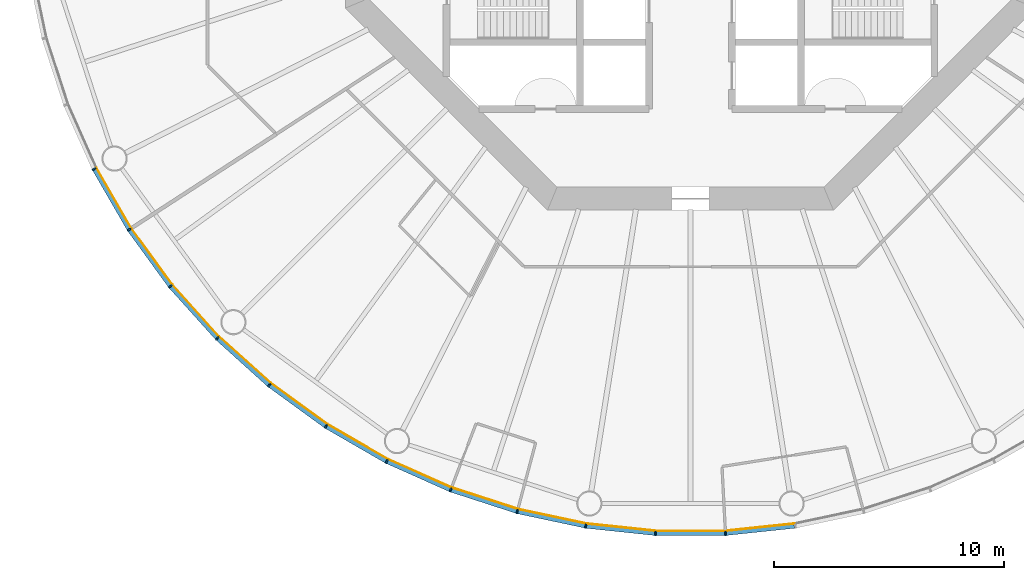
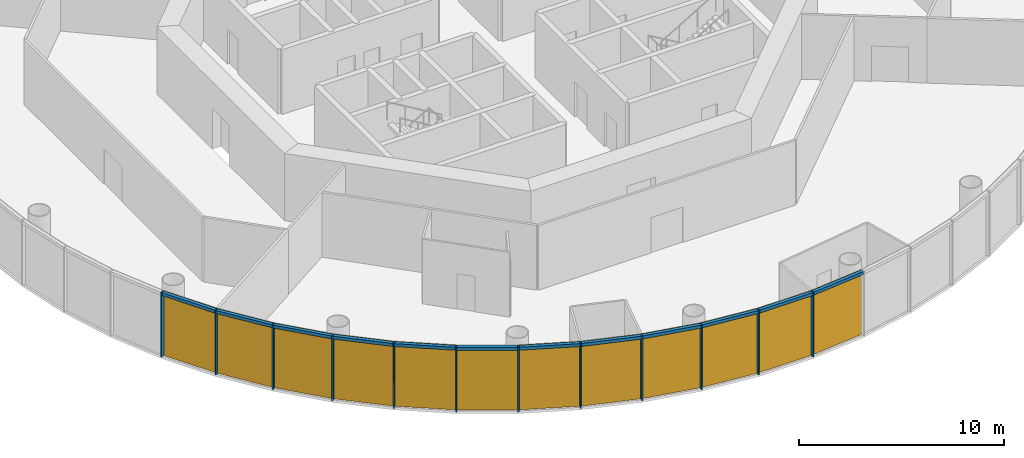
# One storey, part 7 of 13: 24 members, 4 curtain walls.
"""IFC4 building model written with IfcOpenShell, lengths in metres."""

from ifc_helpers import new_model, si_unit, direction, frame, origin, origin_2d, place, context, subcontext, project, spatial, polyline, rectangle, outline, extrude, material, layer, layer_set, material_profile, profile_set, type_object, element, aggregate, save


model = new_model("IFC4")

# Units and contexts
model_context = context("Model", 3, precision=1e-05, world=origin(), true_north=direction((0.0, 1.0)))
body_context = subcontext(model_context, "Body", "Model", "MODEL_VIEW")
ifc_project = project(units=[si_unit("LENGTHUNIT", "METRE"), si_unit("AREAUNIT", "SQUARE_METRE"), si_unit("VOLUMEUNIT", "CUBIC_METRE"), si_unit("PLANEANGLEUNIT", "RADIAN"), si_unit("MASSUNIT", "GRAM", prefix="KILO")], contexts=[model_context])

# Member
ifc_material_1 = material(Name="Anodised aluminium", Category="aluminium")
ifc_material_profile_1 = material_profile(ifc_material_1, rectangle(XDim=0.06494140625, YDim=0.18505859375, at=origin_2d()), Name="Mullion 65 x 185 mm anodised aluminium")
ifc_profile_set_1 = profile_set([ifc_material_profile_1], Name="Anodised aluminium")
member_type_1 = type_object("IfcMemberType", Name="Mullion 65 x 185 mm anodised aluminium", PredefinedType="MULLION", material=ifc_profile_set_1)
site_placement = place(None, origin())
building_placement = place(site_placement, origin())
storey_placement = place(building_placement, frame((0.0, 0.0, 156.0)))
member_1_placement = place(storey_placement, frame((64.078369140625, 66.792236328125, 0.0), z_axis=(0.0, 0.0, 1.0), x_axis=(0.45399049974, -0.891006524188, 0.0)))
member_1 = element("IfcMember", 1, at=member_1_placement, type_object=member_type_1, Name="MULLION L35-33", PredefinedType="MULLION", context=body_context, shape_type="SweptSolid", body=[
    extrude(rectangle(XDim=0.06494140625, YDim=0.18505859375, at=origin_2d()), origin(), (0.0, 0.0, 1.0), 3.85009765625),
])

member_2_placement = place(storey_placement, frame((65.60107421875, 64.155029296875, 0.0), z_axis=(0.0, 0.0, 1.0), x_axis=(0.544639035015, -0.838670567945, 0.0)))
member_2 = element("IfcMember", 2, at=member_2_placement, type_object=member_type_1, Name="MULLION L35-34", PredefinedType="MULLION", context=body_context, shape_type="SweptSolid", body=[
    extrude(rectangle(XDim=0.06494140625, YDim=0.18505859375, at=origin_2d()), origin(), (0.0, 0.0, 1.0), 3.85009765625),
])

member_3_placement = place(storey_placement, frame((67.390869140625, 61.69140625, 0.0), z_axis=(0.0, 0.0, 1.0), x_axis=(0.62932039105, -0.777145961457, 0.0)))
member_3 = element("IfcMember", 3, at=member_3_placement, type_object=member_type_1, Name="MULLION L35-35", PredefinedType="MULLION", context=body_context, shape_type="SweptSolid", body=[
    extrude(rectangle(XDim=0.06494140625, YDim=0.18505859375, at=origin_2d()), origin(), (0.0, 0.0, 1.0), 3.85009765625),
])

member_4_placement = place(storey_placement, frame((69.428466796875, 59.428466796875, 0.0), z_axis=(0.0, 0.0, 1.0), x_axis=(0.707106781187, -0.707106781187, 0.0)))
member_4 = element("IfcMember", 4, at=member_4_placement, type_object=member_type_1, Name="MULLION L35-36", PredefinedType="MULLION", context=body_context, shape_type="SweptSolid", body=[
    extrude(rectangle(XDim=0.06494140625, YDim=0.18505859375, at=origin_2d()), origin(), (0.0, 0.0, 1.0), 3.85009765625),
])

member_5_placement = place(storey_placement, frame((71.69140625, 57.390869140625, 0.0), z_axis=(0.0, 0.0, 1.0), x_axis=(0.777145961457, -0.62932039105, 0.0)))
member_5 = element("IfcMember", 5, at=member_5_placement, type_object=member_type_1, Name="MULLION L35-37", PredefinedType="MULLION", context=body_context, shape_type="SweptSolid", body=[
    extrude(rectangle(XDim=0.06494140625, YDim=0.18505859375, at=origin_2d()), origin(), (0.0, 0.0, 1.0), 3.85009765625),
])

member_6_placement = place(storey_placement, frame((74.155029296875, 55.60107421875, 0.0), z_axis=(0.0, 0.0, 1.0), x_axis=(0.838670567945, -0.544639035015, 0.0)))
member_6 = element("IfcMember", 6, at=member_6_placement, type_object=member_type_1, Name="MULLION L35-38", PredefinedType="MULLION", context=body_context, shape_type="SweptSolid", body=[
    extrude(rectangle(XDim=0.06494140625, YDim=0.18505859375, at=origin_2d()), origin(), (0.0, 0.0, 1.0), 3.85009765625),
])

member_7_placement = place(storey_placement, frame((76.792236328125, 54.078369140625, 0.0), z_axis=(0.0, 0.0, 1.0), x_axis=(0.891006524188, -0.45399049974, 0.0)))
member_7 = element("IfcMember", 7, at=member_7_placement, type_object=member_type_1, Name="MULLION L35-39", PredefinedType="MULLION", context=body_context, shape_type="SweptSolid", body=[
    extrude(rectangle(XDim=0.06494140625, YDim=0.18505859375, at=origin_2d()), origin(), (0.0, 0.0, 1.0), 3.85009765625),
])

member_8_placement = place(storey_placement, frame((79.57421875, 52.83984375, 0.0), z_axis=(0.0, 0.0, 1.0), x_axis=(0.933580426497, -0.358367949545, 0.0)))
member_8 = element("IfcMember", 8, at=member_8_placement, type_object=member_type_1, Name="MULLION L35-40", PredefinedType="MULLION", context=body_context, shape_type="SweptSolid", body=[
    extrude(rectangle(XDim=0.06494140625, YDim=0.18505859375, at=origin_2d()), origin(), (0.0, 0.0, 1.0), 3.85009765625),
])

member_9_placement = place(storey_placement, frame((82.47021484375, 51.898681640625, 0.0), z_axis=(0.0, 0.0, 1.0), x_axis=(0.965925826289, -0.258819045103, 0.0)))
member_9 = element("IfcMember", 9, at=member_9_placement, type_object=member_type_1, Name="MULLION L35-41", PredefinedType="MULLION", context=body_context, shape_type="SweptSolid", body=[
    extrude(rectangle(XDim=0.06494140625, YDim=0.18505859375, at=origin_2d()), origin(), (0.0, 0.0, 1.0), 3.85009765625),
])

member_10_placement = place(storey_placement, frame((85.448974609375, 51.265625, 0.0), z_axis=(0.0, 0.0, 1.0), x_axis=(0.987688340595, -0.15643446504, 0.0)))
member_10 = element("IfcMember", 10, at=member_10_placement, type_object=member_type_1, Name="MULLION L35-42", PredefinedType="MULLION", context=body_context, shape_type="SweptSolid", body=[
    extrude(rectangle(XDim=0.06494140625, YDim=0.18505859375, at=origin_2d()), origin(), (0.0, 0.0, 1.0), 3.85009765625),
])

member_11_placement = place(storey_placement, frame((88.477294921875, 50.947265625, 0.0), z_axis=(0.0, 0.0, 1.0), x_axis=(0.998629534755, -0.052335956243, 0.0)))
member_11 = element("IfcMember", 11, at=member_11_placement, type_object=member_type_1, Name="MULLION L35-43", PredefinedType="MULLION", context=body_context, shape_type="SweptSolid", body=[
    extrude(rectangle(XDim=0.06494140625, YDim=0.18505859375, at=origin_2d()), origin(), (0.0, 0.0, 1.0), 3.85009765625),
])

member_12_placement = place(storey_placement, frame((91.522705078125, 50.947265625, 0.0), z_axis=(0.0, 0.0, 1.0), x_axis=(0.998629534755, 0.052335956243, 0.0)))
member_12 = element("IfcMember", 12, at=member_12_placement, type_object=member_type_1, Name="MULLION L35-44", PredefinedType="MULLION", context=body_context, shape_type="SweptSolid", body=[
    extrude(rectangle(XDim=0.06494140625, YDim=0.18505859375, at=origin_2d()), origin(), (0.0, 0.0, 1.0), 3.85009765625),
])

ifc_material_2 = material(Name="Anodised aluminium", Category="aluminium")
ifc_material_profile_2 = material_profile(ifc_material_2, rectangle(XDim=0.18505859375, YDim=0.175048828125, at=origin_2d()), Name="Transom 175 x 185 mm anodised aluminium")
ifc_profile_set_2 = profile_set([ifc_material_profile_2], Name="Anodised aluminium")
member_type_2 = type_object("IfcMemberType", Name="Transom 175 x 185 mm anodised aluminium", PredefinedType="USERDEFINED", material=ifc_profile_set_2)
member_13_placement = place(storey_placement, frame((64.096923828125, 66.759765625, 3.762451171875), z_axis=(0.500028367561, -0.866009025146, 0.0), x_axis=(0.866009025146, 0.500028367561, 0.0)))
member_13 = element("IfcMember", 13, at=member_13_placement, type_object=member_type_2, Name="TRANSOM L35-33", ObjectType="TRANSOM", PredefinedType="USERDEFINED", context=body_context, shape_type="SweptSolid", body=[
    extrude(rectangle(XDim=0.18505859375, YDim=0.175048828125, at=origin_2d()), origin(), (0.0, 0.0, 1.0), 2.970458984375),
])

member_14_placement = place(storey_placement, frame((65.622802734375, 64.124755859375, 3.762451171875), z_axis=(0.587819781808, -0.808991906087, 0.0), x_axis=(0.808991906087, 0.587819781808, 0.0)))
member_14 = element("IfcMember", 14, at=member_14_placement, type_object=member_type_2, Name="TRANSOM L35-34", ObjectType="TRANSOM", PredefinedType="USERDEFINED", context=body_context, shape_type="SweptSolid", body=[
    extrude(rectangle(XDim=0.18505859375, YDim=0.175048828125, at=origin_2d()), origin(), (0.0, 0.0, 1.0), 2.970458984375),
])

member_15_placement = place(storey_placement, frame((67.415771484375, 61.66357421875, 3.762451171875), z_axis=(0.669110027395, -0.743163354343, 0.0), x_axis=(0.743163354343, 0.669110027395, 0.0)))
member_15 = element("IfcMember", 15, at=member_15_placement, type_object=member_type_2, Name="TRANSOM L35-35", ObjectType="TRANSOM", PredefinedType="USERDEFINED", context=body_context, shape_type="SweptSolid", body=[
    extrude(rectangle(XDim=0.18505859375, YDim=0.175048828125, at=origin_2d()), origin(), (0.0, 0.0, 1.0), 2.970458984375),
])

member_16_placement = place(storey_placement, frame((69.4560546875, 59.4033203125, 3.762451171875), z_axis=(0.743163354343, -0.669110027395, 0.0), x_axis=(0.669110027395, 0.743163354343, 0.0)))
member_16 = element("IfcMember", 16, at=member_16_placement, type_object=member_type_2, Name="TRANSOM L35-36", ObjectType="TRANSOM", PredefinedType="USERDEFINED", context=body_context, shape_type="SweptSolid", body=[
    extrude(rectangle(XDim=0.18505859375, YDim=0.175048828125, at=origin_2d()), origin(), (0.0, 0.0, 1.0), 2.970458984375),
])

member_17_placement = place(storey_placement, frame((71.7216796875, 57.368896484375, 3.762451171875), z_axis=(0.808991906087, -0.587819781808, 0.0), x_axis=(0.587819781808, 0.808991906087, 0.0)))
member_17 = element("IfcMember", 17, at=member_17_placement, type_object=member_type_2, Name="TRANSOM L35-37", ObjectType="TRANSOM", PredefinedType="USERDEFINED", context=body_context, shape_type="SweptSolid", body=[
    extrude(rectangle(XDim=0.18505859375, YDim=0.175048828125, at=origin_2d()), origin(), (0.0, 0.0, 1.0), 2.970458984375),
])

member_18_placement = place(storey_placement, frame((74.187255859375, 55.582275390625, 3.762451171875), z_axis=(0.866009025146, -0.500028367561, 0.0), x_axis=(0.500028367561, 0.866009025146, 0.0)))
member_18 = element("IfcMember", 18, at=member_18_placement, type_object=member_type_2, Name="TRANSOM L35-38", ObjectType="TRANSOM", PredefinedType="USERDEFINED", context=body_context, shape_type="SweptSolid", body=[
    extrude(rectangle(XDim=0.18505859375, YDim=0.175048828125, at=origin_2d()), origin(), (0.0, 0.0, 1.0), 2.970458984375),
])

member_19_placement = place(storey_placement, frame((76.826416015625, 54.06298828125, 3.762451171875), z_axis=(0.913567348806, -0.406687471156, 0.0), x_axis=(0.406687471156, 0.913567348806, 0.0)))
member_19 = element("IfcMember", 19, at=member_19_placement, type_object=member_type_2, Name="TRANSOM L35-39", ObjectType="TRANSOM", PredefinedType="USERDEFINED", context=body_context, shape_type="SweptSolid", body=[
    extrude(rectangle(XDim=0.18505859375, YDim=0.175048828125, at=origin_2d()), origin(), (0.0, 0.0, 1.0), 2.970458984375),
])

member_20_placement = place(storey_placement, frame((79.609619140625, 52.828125, 3.762451171875), z_axis=(0.951055809184, -0.30901917063, 0.0), x_axis=(0.30901917063, 0.951055809184, 0.0)))
member_20 = element("IfcMember", 20, at=member_20_placement, type_object=member_type_2, Name="TRANSOM L35-40", ObjectType="TRANSOM", PredefinedType="USERDEFINED", context=body_context, shape_type="SweptSolid", body=[
    extrude(rectangle(XDim=0.18505859375, YDim=0.175048828125, at=origin_2d()), origin(), (0.0, 0.0, 1.0), 2.970703125),
])

member_21_placement = place(storey_placement, frame((82.5068359375, 51.890869140625, 3.762451171875), z_axis=(0.97815822425, -0.207861704825, 0.0), x_axis=(0.207861704825, 0.97815822425, 0.0)))
member_21 = element("IfcMember", 21, at=member_21_placement, type_object=member_type_2, Name="TRANSOM L35-41", ObjectType="TRANSOM", PredefinedType="USERDEFINED", context=body_context, shape_type="SweptSolid", body=[
    extrude(rectangle(XDim=0.18505859375, YDim=0.175048828125, at=origin_2d()), origin(), (0.0, 0.0, 1.0), 2.970458984375),
])

member_22_placement = place(storey_placement, frame((85.486083984375, 51.26171875, 3.762451171875), z_axis=(0.994519855197, -0.104547872381, 0.0), x_axis=(0.104547872381, 0.994519855197, 0.0)))
member_22 = element("IfcMember", 22, at=member_22_placement, type_object=member_type_2, Name="TRANSOM L35-42", ObjectType="TRANSOM", PredefinedType="USERDEFINED", context=body_context, shape_type="SweptSolid", body=[
    extrude(rectangle(XDim=0.18505859375, YDim=0.175048828125, at=origin_2d()), origin(), (0.0, 0.0, 1.0), 2.970458984375),
])

member_23_placement = place(storey_placement, frame((88.5146484375, 50.947265625, 3.762451171875), z_axis=(1.0, 0.0, 0.0), x_axis=(0.0, 1.0, 0.0)))
member_23 = element("IfcMember", 23, at=member_23_placement, type_object=member_type_2, Name="TRANSOM L35-43", ObjectType="TRANSOM", PredefinedType="USERDEFINED", context=body_context, shape_type="SweptSolid", body=[
    extrude(rectangle(XDim=0.18505859375, YDim=0.175048828125, at=origin_2d()), origin(), (0.0, 0.0, 1.0), 2.970703125),
])

member_24_placement = place(storey_placement, frame((91.559814453125, 50.951171875, 3.762451171875), z_axis=(0.994519855197, 0.104547872381, 0.0), x_axis=(-0.104547872381, 0.994519855197, 0.0)))
member_24 = element("IfcMember", 24, at=member_24_placement, type_object=member_type_2, Name="TRANSOM L35-44", ObjectType="TRANSOM", PredefinedType="USERDEFINED", context=body_context, shape_type="SweptSolid", body=[
    extrude(rectangle(XDim=0.18505859375, YDim=0.175048828125, at=origin_2d()), origin(), (0.0, 0.0, 1.0), 2.970458984375),
])

# Site, building, storey
site = spatial("IfcSite", under=ifc_project, at=site_placement, CompositionType="ELEMENT")
building = spatial("IfcBuilding", under=site, at=building_placement, Name="Entoto Ring Tower", CompositionType="ELEMENT")
storey = spatial("IfcBuildingStorey", under=building, at=storey_placement, Name="L35", CompositionType="ELEMENT", Elevation=156.0)

# Curtain wall
ifc_material_3 = material(Name="Clear low-iron glass", Category="glass")
ifc_layer = layer(ifc_material_3, 0.033935546875)
ifc_layer_set = layer_set([ifc_layer], Name="Clear low-iron glass")
curtain_wall_type = type_object("IfcCurtainWallType", Name="Curtain wall system CW3 glazing 34 mm", PredefinedType="NOTDEFINED", material=ifc_layer_set)
curtain_wall_1_placement = place(storey_placement, origin())
curtain_wall_1 = element("IfcCurtainWall", 25, at=curtain_wall_1_placement, inside=storey, type_object=curtain_wall_type, Name="CW3 L35-12", PredefinedType="NOTDEFINED", context=body_context, shape_type="SweptSolid", body=[
    extrude(outline(polyline([(64.160888671875, 66.834228515625), (65.678466796875, 64.20556640625), (67.462646484375, 61.749755859375), (69.493896484375, 59.493896484375), (69.51806640625, 59.51806640625), (67.4892578125, 61.771240234375), (65.70703125, 64.22412109375), (64.191162109375, 66.849853515625), (64.160888671875, 66.834228515625)])), origin(), (0.0, 0.0, 1.0), 3.85009765625),
])

aggregate(curtain_wall_1, [member_1, member_2, member_3, member_13, member_14, member_15])

curtain_wall_2_placement = place(storey_placement, origin())
curtain_wall_2 = element("IfcCurtainWall", 26, at=curtain_wall_2_placement, inside=storey, type_object=curtain_wall_type, Name="CW3 L35-13", PredefinedType="NOTDEFINED", context=body_context, shape_type="SweptSolid", body=[
    extrude(outline(polyline([(69.493896484375, 59.493896484375), (71.749755859375, 57.462646484375), (74.20556640625, 55.678466796875), (76.834228515625, 54.160888671875), (76.849853515625, 54.191162109375), (74.22412109375, 55.70703125), (71.771240234375, 57.4892578125), (69.51806640625, 59.51806640625), (69.493896484375, 59.493896484375)])), origin(), (0.0, 0.0, 1.0), 3.85009765625),
])

aggregate(curtain_wall_2, [member_4, member_5, member_6, member_16, member_17, member_18])

curtain_wall_3_placement = place(storey_placement, origin())
curtain_wall_3 = element("IfcCurtainWall", 27, at=curtain_wall_3_placement, inside=storey, type_object=curtain_wall_type, Name="CW3 L35-14", PredefinedType="NOTDEFINED", context=body_context, shape_type="SweptSolid", body=[
    extrude(outline(polyline([(76.834228515625, 54.160888671875), (79.607421875, 52.92626953125), (82.494140625, 51.988037109375), (85.46337890625, 51.35693359375), (85.46875, 51.390625), (82.503173828125, 52.02099609375), (79.61962890625, 52.9580078125), (76.849853515625, 54.191162109375), (76.834228515625, 54.160888671875)])), origin(), (0.0, 0.0, 1.0), 3.85009765625),
])

aggregate(curtain_wall_3, [member_7, member_8, member_9, member_19, member_20, member_21])

curtain_wall_4_placement = place(storey_placement, origin())
curtain_wall_4 = element("IfcCurtainWall", 28, at=curtain_wall_4_placement, inside=storey, type_object=curtain_wall_type, Name="CW3 L35-15", PredefinedType="NOTDEFINED", context=body_context, shape_type="SweptSolid", body=[
    extrude(outline(polyline([(85.46337890625, 51.35693359375), (88.482177734375, 51.039794921875), (91.517822265625, 51.039794921875), (94.53662109375, 51.35693359375), (94.53125, 51.390625), (91.515869140625, 51.07373046875), (88.484130859375, 51.07373046875), (85.46875, 51.390625), (85.46337890625, 51.35693359375)])), origin(), (0.0, 0.0, 1.0), 3.85009765625),
])

aggregate(curtain_wall_4, [member_10, member_11, member_12, member_22, member_23, member_24])

save(model, "model.ifc")
